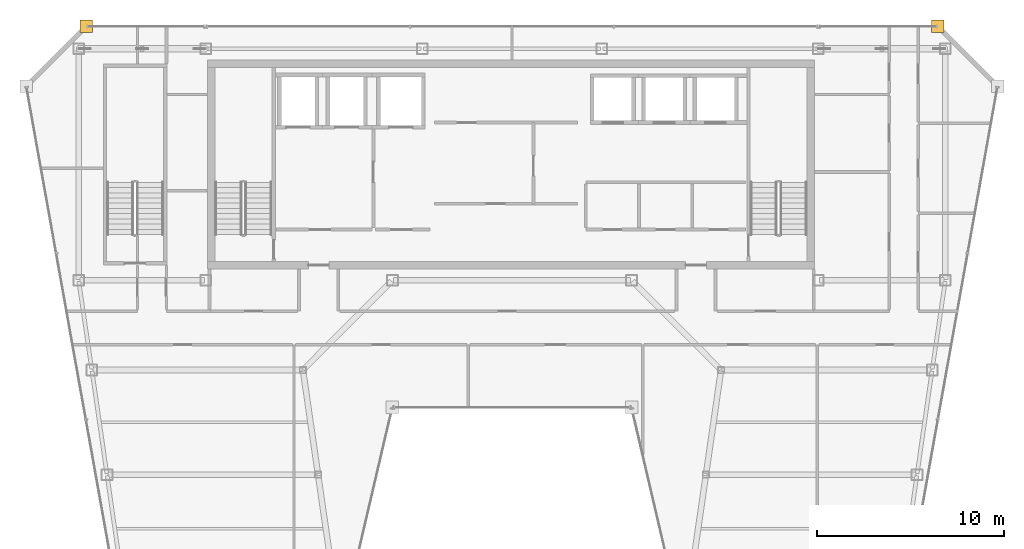
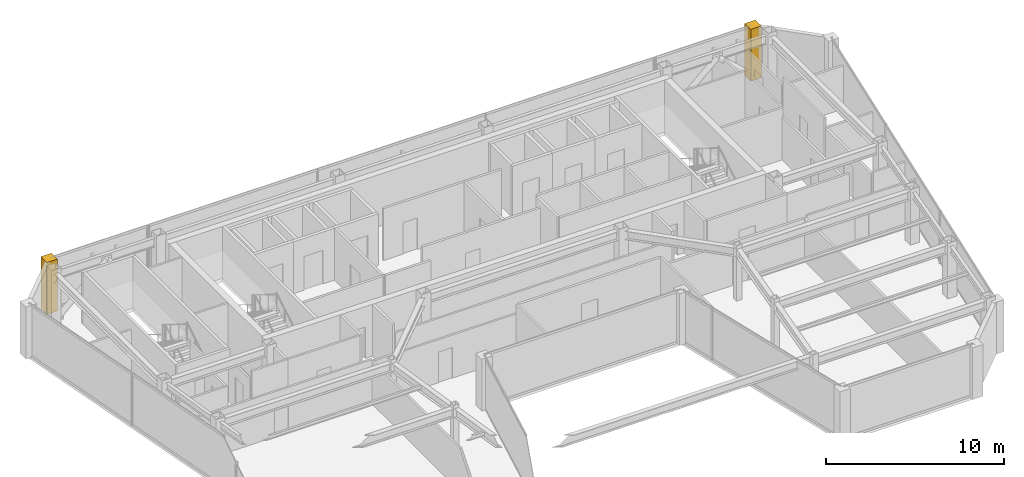
# One storey, part 32 of 32: 2 coverings.
"""IFC4 building model written with IfcOpenShell, lengths in metres."""

import ifcopenshell
import ifcopenshell.guid

model = None  # the IFC model being written
_history = None  # IfcOwnerHistory: only IFC2X3 demands one
_inside = {}  # id of a spatial element -> (the spatial element, [elements in it])
_under = {}  # id of a project, library or spatial element -> (it, [spatial elements below it])
_declared = {}  # id of a project -> (the project, [libraries it declares])
_typed = {}  # id of a type object -> (the type object, [elements of that type])
_made_of = {}  # id of a material, layer set ... -> (it, [elements and type objects made of it])


def new_model(schema):
    """Start an empty IFC model of exactly this schema.

    Asked for "IFC4X3", IfcOpenShell would pick the latest addendum, in which some entities
    have other attributes; the version numbers below select the first issue.
    IFC2X3 requires an IfcOwnerHistory on every rooted entity: one is made here for all.
    """
    global model, _history
    if schema == "IFC4X3":
        model = ifcopenshell.file(schema_version=(4, 3, 0, 0))
    else:
        model = ifcopenshell.file(schema=schema)
    _inside.clear()
    _under.clear()
    _declared.clear()
    _typed.clear()
    _made_of.clear()
    _history = None
    if model.schema == "IFC2X3":
        org = make("IfcOrganization", Name="unknown")
        user = make(
            "IfcPersonAndOrganization",
            ThePerson=make("IfcPerson", FamilyName="unknown"),
            TheOrganization=org,
        )
        app = make(
            "IfcApplication",
            ApplicationDeveloper=org,
            Version="unknown",
            ApplicationFullName="unknown",
            ApplicationIdentifier="unknown",
        )
        _history = make(
            "IfcOwnerHistory",
            OwningUser=user,
            OwningApplication=app,
            ChangeAction="ADDED",
            CreationDate=0,
        )
    return model


def make(cls, **values):
    """One entity of the class cls with the attributes given. An attribute that is None is left unset."""
    return model.create_entity(
        cls, **{name: value for name, value in values.items() if value is not None}
    )


def rooted(cls, **values):
    """An entity with a GlobalId (a new one), such as an element, a storey or a relation."""
    return make(cls, GlobalId=ifcopenshell.guid.new(), OwnerHistory=_history, **values)


def si_unit(unit_type, name, prefix=None):
    """IfcSIUnit, for example si_unit("LENGTHUNIT", "METRE", prefix="MILLI")."""
    return make("IfcSIUnit", UnitType=unit_type, Prefix=prefix, Name=name)


def assignment(units):
    """IfcUnitAssignment: the units of a project."""
    return None if units is None else make("IfcUnitAssignment", Units=units)


def point(xyz):
    """IfcCartesianPoint."""
    return None if xyz is None else make("IfcCartesianPoint", Coordinates=xyz)


def direction(xyz):
    """IfcDirection."""
    return None if xyz is None else make("IfcDirection", DirectionRatios=xyz)


def frame(location, z_axis=None, x_axis=None):
    """IfcAxis2Placement3D, a coordinate frame: its origin and axes. An axis left out is left unset."""
    return make(
        "IfcAxis2Placement3D",
        Location=point(location),
        Axis=direction(z_axis),
        RefDirection=direction(x_axis),
    )


def origin():
    """The frame at (0, 0, 0) with its axes left unset."""
    return frame((0.0, 0.0, 0.0))


def place(relative_to, where):
    """IfcLocalPlacement: puts the frame where relative to a parent placement (None: the world)."""
    return make(
        "IfcLocalPlacement", PlacementRelTo=relative_to, RelativePlacement=where
    )


def context(
    kind, dimensions, precision=None, world=None, true_north=None, identifier=None
):
    """IfcGeometricRepresentationContext, for example the 3D "Model" context."""
    return make(
        "IfcGeometricRepresentationContext",
        ContextIdentifier=identifier,
        ContextType=kind,
        CoordinateSpaceDimension=dimensions,
        Precision=precision,
        WorldCoordinateSystem=world,
        TrueNorth=true_north,
    )


def subcontext(parent, identifier, kind, view, scale=None):
    """IfcGeometricRepresentationSubContext, for example "Body" below "Model"."""
    return make(
        "IfcGeometricRepresentationSubContext",
        ContextIdentifier=identifier,
        ContextType=kind,
        ParentContext=parent,
        TargetScale=scale,
        TargetView=view,
    )


def project(units=None, contexts=None):
    """IfcProject with its units and contexts."""
    return rooted(
        "IfcProject",
        Name="project",
        RepresentationContexts=contexts,
        UnitsInContext=assignment(units),
    )


def spatial(cls, under=None, at=None, **own):
    """A site, building, storey or space (cls), placed at a placement, below another one or the project."""
    s = rooted(cls, ObjectPlacement=at, **own)
    if under is not None:
        _under.setdefault(under.id(), (under, []))[1].append(s)
    return s


def polyline(points):
    """IfcPolyline through the points."""
    return make("IfcPolyline", Points=[point(p) for p in points])


def outline(outer, holes=None, kind="AREA"):
    """IfcArbitraryClosedProfileDef: a profile drawn as a closed curve; with holes, ...WithVoids."""
    if holes is None:
        return make("IfcArbitraryClosedProfileDef", ProfileType=kind, OuterCurve=outer)
    return make(
        "IfcArbitraryProfileDefWithVoids",
        ProfileType=kind,
        OuterCurve=outer,
        InnerCurves=holes,
    )


def extrude(swept, where, along, depth):
    """IfcExtrudedAreaSolid: the profile swept, set in the frame where, extruded along a direction by depth."""
    return make(
        "IfcExtrudedAreaSolid",
        SweptArea=swept,
        Position=where,
        ExtrudedDirection=direction(along),
        Depth=depth,
    )


def shape(context_of_items, identifier, shape_type, items):
    """IfcShapeRepresentation: the items that make up one representation, for example the "Body"."""
    return make(
        "IfcShapeRepresentation",
        ContextOfItems=context_of_items,
        RepresentationIdentifier=identifier,
        RepresentationType=shape_type,
        Items=items,
    )


def material(Name=None, Category=None):
    """IfcMaterial."""
    return make("IfcMaterial", Name=Name, Category=Category)


def layer(
    of_material, thickness, ventilated=None, Name=None, Category=None, Priority=None
):
    """IfcMaterialLayer: one layer of a wall or slab, of a material (None: an air gap)."""
    return make(
        "IfcMaterialLayer",
        Material=of_material,
        LayerThickness=thickness,
        IsVentilated=ventilated,
        Name=Name,
        Category=Category,
        Priority=Priority,
    )


def layer_set(layers, Name=None):
    """IfcMaterialLayerSet."""
    return make("IfcMaterialLayerSet", MaterialLayers=layers, LayerSetName=Name)


def made_of(thing, what):
    """Note that an element or type object is made of a material, layer set ...; save() writes the relation."""
    if what is not None:
        _made_of.setdefault(what.id(), (what, []))[1].append(thing)
    return thing


def type_object(cls, material=None, **own):
    """A type object (cls), such as IfcWallType, which elements share."""
    return made_of(rooted(cls, **own), material)


def element(
    cls,
    number,
    at=None,
    inside=None,
    cuts=None,
    type_object=None,
    material=None,
    context=None,
    identifier="Body",
    shape_type=None,
    held_by="IfcProductDefinitionShape",
    body=None,
    shapes=None,
    **own,
):
    """One element of the class cls, such as IfcWall. Its Tag is "e" and its number.

    at: its placement. inside: the storey or other place that contains it. cuts: it is an
    opening in that element (IfcRelVoidsElement). A single representation is given by context,
    identifier, shape_type and body (its items); several are given by shapes. held_by: the class
    of the entity that holds the representations. save() writes the other relations.
    """
    e = rooted(cls, Tag="e%d" % number, ObjectPlacement=at, **own)
    if body is not None:
        shapes = [shape(context, identifier, shape_type, body)]
    if shapes is not None:
        e.Representation = make(held_by, Representations=shapes)
    if inside is not None:
        _inside.setdefault(inside.id(), (inside, []))[1].append(e)
    if cuts is not None:
        rooted(
            "IfcRelVoidsElement", RelatingBuildingElement=cuts, RelatedOpeningElement=e
        )
    if type_object is not None:
        _typed.setdefault(type_object.id(), (type_object, []))[1].append(e)
    return made_of(e, material)


def aggregate(whole, parts):
    """IfcRelAggregates: a whole, such as a stair, and the parts it consists of."""
    return rooted("IfcRelAggregates", RelatingObject=whole, RelatedObjects=parts)


def save(model, path):
    """Write the relations noted so far, then the file.

    IfcRelAggregates (storeys below a building ...), IfcRelContainedInSpatialStructure (elements
    in a storey), IfcRelDefinesByType, IfcRelAssociatesMaterial and IfcRelDeclares: one each for
    every whole, place, type object, material and project.
    """
    for whole, parts in _under.values():
        aggregate(whole, parts)
    for where, things in _inside.values():
        rooted(
            "IfcRelContainedInSpatialStructure",
            RelatedElements=things,
            RelatingStructure=where,
        )
    for kind, things in _typed.values():
        rooted("IfcRelDefinesByType", RelatedObjects=things, RelatingType=kind)
    for what, things in _made_of.values():
        rooted("IfcRelAssociatesMaterial", RelatedObjects=things, RelatingMaterial=what)
    for by, libraries in _declared.values():
        rooted("IfcRelDeclares", RelatingContext=by, RelatedDefinitions=libraries)
    model.write(path)


model = new_model("IFC4")

# Units and contexts
model_context = context("Model", 3, precision=1e-05, world=origin(), true_north=direction((0.0, 1.0)))
body_context = subcontext(model_context, "Body", "Model", "MODEL_VIEW")
ifc_project = project(units=[si_unit("LENGTHUNIT", "METRE"), si_unit("AREAUNIT", "SQUARE_METRE"), si_unit("VOLUMEUNIT", "CUBIC_METRE"), si_unit("PLANEANGLEUNIT", "RADIAN"), si_unit("MASSUNIT", "GRAM", prefix="KILO")], contexts=[model_context])

# Site, building, storey
site_placement = place(None, origin())
site = spatial("IfcSite", under=ifc_project, at=site_placement, CompositionType="ELEMENT")
building_placement = place(site_placement, origin())
building = spatial("IfcBuilding", under=site, at=building_placement, Name="Saevonmaru Cultural Tower", CompositionType="ELEMENT")
storey_placement = place(building_placement, frame((0.0, 0.0, 268.60009765625)))
storey = spatial("IfcBuildingStorey", under=building, at=storey_placement, Name="L63", CompositionType="ELEMENT", Elevation=268.60009765625)

# Coverings
ifc_material = material(Name="Satin Bronze Anodised Aluminium", Category="aluminium")
ifc_layer = layer(ifc_material, 0.679931640625, Name="Satin Bronze Anodised Aluminium")
ifc_layer_set = layer_set([ifc_layer], Name="Satin Bronze Anodised Aluminium")
covering_type = type_object("IfcCoveringType", Name="CV-CORNER-CLAD", PredefinedType="CLADDING", material=ifc_layer_set)
covering_1_placement = place(storey_placement, origin())
element("IfcCovering", 1, at=covering_1_placement, inside=storey, type_object=covering_type, Name="L63 Tower Bronze Corner Cladding Pier 10", PredefinedType="CLADDING", context=body_context, shape_type="SweptSolid", body=[
    extrude(outline(polyline([(52.4599609375, 55.659912109375), (53.139892578125, 55.659912109375), (53.139892578125, 56.340087890625), (52.4599609375, 56.340087890625), (52.4599609375, 55.659912109375)])), origin(), (0.0, 0.0, 1.0), 3.5498046875),
])
covering_2_placement = place(storey_placement, origin())
element("IfcCovering", 2, at=covering_2_placement, inside=storey, type_object=covering_type, Name="L63 Tower Bronze Corner Cladding Pier 11", PredefinedType="CLADDING", context=body_context, shape_type="SweptSolid", body=[
    extrude(outline(polyline([(6.860107421875, 55.659912109375), (7.5400390625, 55.659912109375), (7.5400390625, 56.340087890625), (6.860107421875, 56.340087890625), (6.860107421875, 55.659912109375)])), origin(), (0.0, 0.0, 1.0), 3.5498046875),
])

save(model, "model.ifc")
